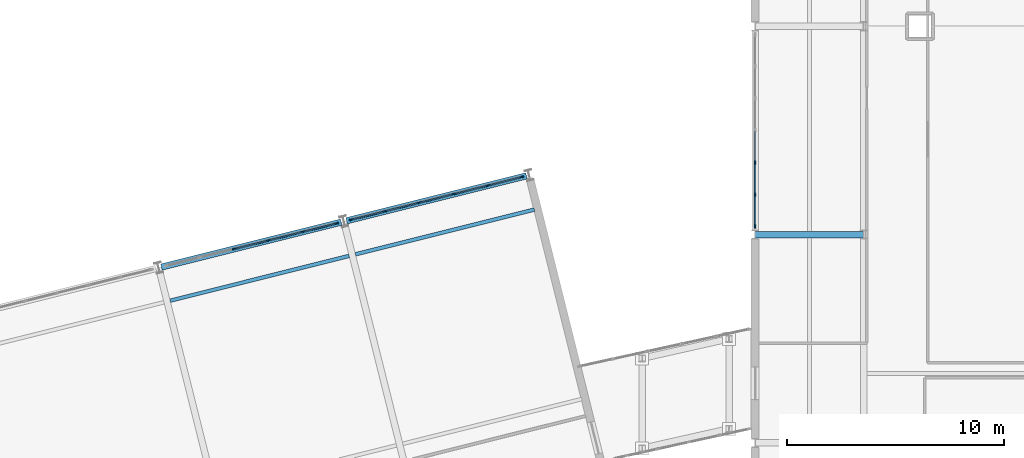
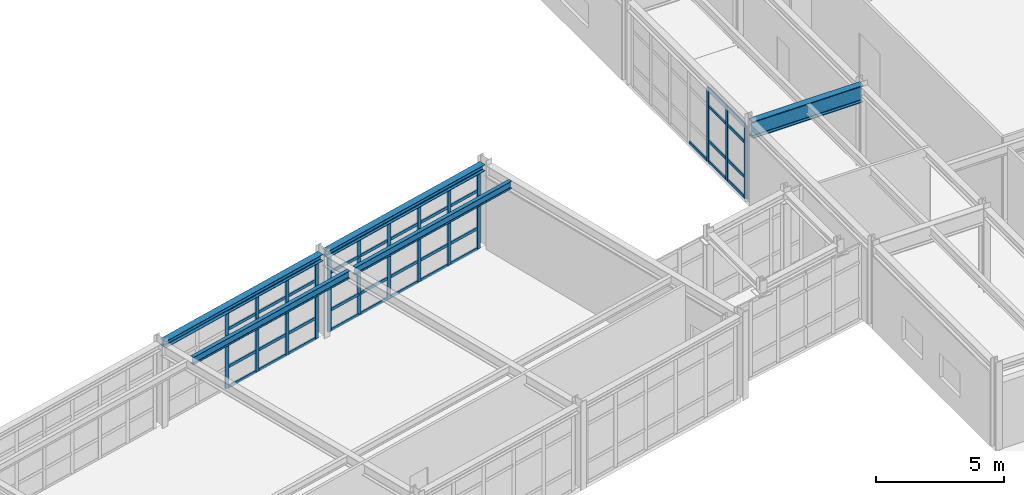
# One storey, part 39 of 88: 54 members, 5 beams, 3 elements without a shape of their own.
"""IFC4 building model written with IfcOpenShell, lengths in metres."""

from ifc_helpers import new_model, si_unit, direction, frame, origin, origin_2d, place, context, subcontext, project, spatial, rectangle, i_section, extrude, material, layer, layer_set, material_profile, profile_set, type_object, element, aggregate, save


model = new_model("IFC4")

# Units and contexts
model_context = context("Model", 3, precision=1e-05, world=origin(), true_north=direction((0.0, 1.0)))
body_context = subcontext(model_context, "Body", "Model", "MODEL_VIEW")
ifc_project = project(units=[si_unit("LENGTHUNIT", "METRE"), si_unit("AREAUNIT", "SQUARE_METRE"), si_unit("VOLUMEUNIT", "CUBIC_METRE"), si_unit("PLANEANGLEUNIT", "RADIAN"), si_unit("MASSUNIT", "GRAM", prefix="KILO")], contexts=[model_context])

# Site, building, storey
site_placement = place(None, origin())
site = spatial("IfcSite", under=ifc_project, at=site_placement, CompositionType="ELEMENT")
building_placement = place(site_placement, origin())
building = spatial("IfcBuilding", under=site, at=building_placement, Name="Nordkorset Police Headquarters", CompositionType="ELEMENT")
storey_placement = place(building_placement, frame((0.0, 0.0, 9.449951171875)))
storey = spatial("IfcBuildingStorey", under=building, at=storey_placement, Name="L02", CompositionType="ELEMENT", Elevation=9.449951171875)

# Beams
ifc_material_1 = material(Name="Steel S355J2", Category="steel")
ifc_material_profile_1 = material_profile(ifc_material_1, i_section(OverallWidth=0.169921875, OverallDepth=0.360107421875, WebThickness=0.008056640625, FlangeThickness=0.0126953125, FilletRadius=0.01806640625, at=origin_2d()), Name="IPE 360")
ifc_profile_set_1 = profile_set([ifc_material_profile_1], Name="Steel S355J2")
beam_type_1 = type_object("IfcBeamType", Name="Beam_IPE_360", PredefinedType="BEAM", material=ifc_profile_set_1)
for number, where, z_axis, x_axis, name in (
    (1, (59.44677734375, 64.155517578125, 3.7900390625), (0.970135741501, 0.242562658011, 0.0), (-0.242562658011, 0.970135741501, 0.0), "Splayed Wing Secondary Beam L02 4-2"),
    (2, (67.984130859375, 66.2900390625, 3.7900390625), (0.970142500145, 0.242535625036, 0.0), (-0.242535625036, 0.970142500145, 0.0), "Splayed Wing Secondary Beam L02 5-2"),
):
    element("IfcBeam", number, at=place(storey_placement, frame(where, z_axis=z_axis, x_axis=x_axis)), inside=storey, type_object=beam_type_1, Name=name, PredefinedType="BEAM", context=body_context, shape_type="SweptSolid", body=[
        extrude(i_section(OverallWidth=0.169921875, OverallDepth=0.360107421875, WebThickness=0.008056640625, FlangeThickness=0.0126953125, FilletRadius=0.01806640625, at=origin_2d()), origin(), (0.0, 0.0, 1.0), 8.5),
    ])

# Curtain wall, members
ifc_material_2 = material(Name="Aluminium alloy AW-6060", Category="aluminium")
ifc_layer_1 = layer(ifc_material_2, 0.179931640625, Name="Aluminium alloy AW-6060")
ifc_layer_set_1 = layer_set([ifc_layer_1], Name="Aluminium alloy AW-6060")
curtain_wall_type_1 = type_object("IfcCurtainWallType", Name="CW_Unit_816x364", PredefinedType="USERDEFINED", material=ifc_layer_set_1)
curtain_wall_1_placement = place(storey_placement, origin())
curtain_wall_1 = element("IfcCurtainWall", 3, at=curtain_wall_1_placement, inside=storey, type_object=curtain_wall_type_1, Name="Unitised Curtain Wall L02 V4N-4", ObjectType="UNITISED CURTAIN WALL", PredefinedType="USERDEFINED")
ifc_material_3 = material(Name="Aluminium alloy AW-6060", Category="aluminium")
ifc_material_profile_2 = material_profile(ifc_material_3, rectangle(XDim=0.06494140625, YDim=0.179931640625, at=origin_2d()), Name="ALU MULL 65x180")
ifc_profile_set_2 = profile_set([ifc_material_profile_2], Name="Aluminium alloy AW-6060")
member_type_1 = type_object("IfcMemberType", Name="CW_Mullion_65x180", PredefinedType="MULLION", material=ifc_profile_set_2)
member_1_placement = place(storey_placement, frame((62.39013671875, 66.540771484375, 0.0), z_axis=(0.0, 0.0, 1.0), x_axis=(-0.242535336683, 0.970142572234, 0.0)))
member_1 = element("IfcMember", 4, at=member_1_placement, type_object=member_type_1, Name="CW-64 mullion 3", PredefinedType="MULLION", context=body_context, shape_type="SweptSolid", body=[
    extrude(rectangle(XDim=0.06494140625, YDim=0.179931640625, at=origin_2d()), origin(), (0.0, 0.0, 1.0), 3.64013671875),
])
member_2_placement = place(storey_placement, frame((63.973388671875, 66.9365234375, 0.0), z_axis=(0.0, 0.0, 1.0), x_axis=(-0.242535336683, 0.970142572234, 0.0)))
member_2 = element("IfcMember", 5, at=member_2_placement, type_object=member_type_1, Name="CW-64 mullion 4", PredefinedType="MULLION", context=body_context, shape_type="SweptSolid", body=[
    extrude(rectangle(XDim=0.06494140625, YDim=0.179931640625, at=origin_2d()), origin(), (0.0, 0.0, 1.0), 3.64013671875),
])
member_3_placement = place(storey_placement, frame((65.556640625, 67.332275390625, 0.0), z_axis=(0.0, 0.0, 1.0), x_axis=(-0.242535336683, 0.970142572234, 0.0)))
member_3 = element("IfcMember", 6, at=member_3_placement, type_object=member_type_1, Name="CW-64 mullion 5", PredefinedType="MULLION", context=body_context, shape_type="SweptSolid", body=[
    extrude(rectangle(XDim=0.06494140625, YDim=0.179931640625, at=origin_2d()), origin(), (0.0, 0.0, 1.0), 3.64013671875),
])
member_4_placement = place(storey_placement, frame((67.1083984375, 67.72021484375, 0.0), z_axis=(0.0, 0.0, 1.0), x_axis=(-0.242535336683, 0.970142572234, 0.0)))
member_4 = element("IfcMember", 7, at=member_4_placement, type_object=member_type_1, Name="CW-64 mullion 6", PredefinedType="MULLION", context=body_context, shape_type="SweptSolid", body=[
    extrude(rectangle(XDim=0.06494140625, YDim=0.179931640625, at=origin_2d()), origin(), (0.0, 0.0, 1.0), 3.64013671875),
])

curtain_wall_2_placement = place(storey_placement, origin())
curtain_wall_2 = element("IfcCurtainWall", 8, at=curtain_wall_2_placement, inside=storey, type_object=curtain_wall_type_1, Name="Unitised Curtain Wall L02 V4N-5", ObjectType="UNITISED CURTAIN WALL", PredefinedType="USERDEFINED")
member_5_placement = place(storey_placement, frame((67.79248046875, 67.891357421875, 0.0), z_axis=(0.0, 0.0, 1.0), x_axis=(-0.242535625038, 0.970142500145, 0.0)))
member_5 = element("IfcMember", 9, at=member_5_placement, type_object=member_type_1, Name="CW-64 mullion 1", PredefinedType="MULLION", context=body_context, shape_type="SweptSolid", body=[
    extrude(rectangle(XDim=0.06494140625, YDim=0.179931640625, at=origin_2d()), origin(), (0.0, 0.0, 1.0), 3.64013671875),
])
member_6_placement = place(storey_placement, frame((69.34423828125, 68.279296875, 0.0), z_axis=(0.0, 0.0, 1.0), x_axis=(-0.242535625038, 0.970142500145, 0.0)))
member_6 = element("IfcMember", 10, at=member_6_placement, type_object=member_type_1, Name="CW-64 mullion 2", PredefinedType="MULLION", context=body_context, shape_type="SweptSolid", body=[
    extrude(rectangle(XDim=0.06494140625, YDim=0.179931640625, at=origin_2d()), origin(), (0.0, 0.0, 1.0), 3.64013671875),
])
member_7_placement = place(storey_placement, frame((70.927490234375, 68.675048828125, 0.0), z_axis=(0.0, 0.0, 1.0), x_axis=(-0.242535625038, 0.970142500145, 0.0)))
member_7 = element("IfcMember", 11, at=member_7_placement, type_object=member_type_1, Name="CW-64 mullion 3", PredefinedType="MULLION", context=body_context, shape_type="SweptSolid", body=[
    extrude(rectangle(XDim=0.06494140625, YDim=0.179931640625, at=origin_2d()), origin(), (0.0, 0.0, 1.0), 3.64013671875),
])
member_8_placement = place(storey_placement, frame((72.5107421875, 69.07080078125, 0.0), z_axis=(0.0, 0.0, 1.0), x_axis=(-0.242535625038, 0.970142500145, 0.0)))
member_8 = element("IfcMember", 12, at=member_8_placement, type_object=member_type_1, Name="CW-64 mullion 4", PredefinedType="MULLION", context=body_context, shape_type="SweptSolid", body=[
    extrude(rectangle(XDim=0.06494140625, YDim=0.179931640625, at=origin_2d()), origin(), (0.0, 0.0, 1.0), 3.64013671875),
])
member_9_placement = place(storey_placement, frame((74.093994140625, 69.466552734375, 0.0), z_axis=(0.0, 0.0, 1.0), x_axis=(-0.242535625038, 0.970142500145, 0.0)))
member_9 = element("IfcMember", 13, at=member_9_placement, type_object=member_type_1, Name="CW-64 mullion 5", PredefinedType="MULLION", context=body_context, shape_type="SweptSolid", body=[
    extrude(rectangle(XDim=0.06494140625, YDim=0.179931640625, at=origin_2d()), origin(), (0.0, 0.0, 1.0), 3.64013671875),
])
member_10_placement = place(storey_placement, frame((75.645751953125, 69.8544921875, 0.0), z_axis=(0.0, 0.0, 1.0), x_axis=(-0.242535625038, 0.970142500145, 0.0)))
member_10 = element("IfcMember", 14, at=member_10_placement, type_object=member_type_1, Name="CW-64 mullion 6", PredefinedType="MULLION", context=body_context, shape_type="SweptSolid", body=[
    extrude(rectangle(XDim=0.06494140625, YDim=0.179931640625, at=origin_2d()), origin(), (0.0, 0.0, 1.0), 3.64013671875),
])

ifc_material_4 = material(Name="Aluminium alloy AW-6060", Category="aluminium")
ifc_layer_2 = layer(ifc_material_4, 0.179931640625, Name="Aluminium alloy AW-6060")
ifc_layer_set_2 = layer_set([ifc_layer_2], Name="Aluminium alloy AW-6060")
curtain_wall_type_2 = type_object("IfcCurtainWallType", Name="CW_Unit_888x350", PredefinedType="USERDEFINED", material=ifc_layer_set_2)
curtain_wall_3_placement = place(storey_placement, origin())
curtain_wall_3 = element("IfcCurtainWall", 15, at=curtain_wall_3_placement, inside=storey, type_object=curtain_wall_type_2, Name="Unitised Curtain Wall L02 V5W-2", ObjectType="UNITISED CURTAIN WALL", PredefinedType="USERDEFINED")
member_11_placement = place(storey_placement, frame((86.39990234375, 67.592529296875, 0.0), z_axis=(0.0, 0.0, 1.0), x_axis=(-1.0, 0.0, 0.0)))
member_11 = element("IfcMember", 16, at=member_11_placement, type_object=member_type_1, Name="CW-95 mullion 1", PredefinedType="MULLION", context=body_context, shape_type="SweptSolid", body=[
    extrude(rectangle(XDim=0.06494140625, YDim=0.179931640625, at=origin_2d()), origin(), (0.0, 0.0, 1.0), 3.505126953125),
])
member_12_placement = place(storey_placement, frame((86.39990234375, 69.0400390625, 0.0), z_axis=(0.0, 0.0, 1.0), x_axis=(-1.0, 0.0, 0.0)))
member_12 = element("IfcMember", 17, at=member_12_placement, type_object=member_type_1, Name="CW-95 mullion 2", PredefinedType="MULLION", context=body_context, shape_type="SweptSolid", body=[
    extrude(rectangle(XDim=0.06494140625, YDim=0.179931640625, at=origin_2d()), origin(), (0.0, 0.0, 1.0), 3.505126953125),
])
member_13_placement = place(storey_placement, frame((86.39990234375, 70.52001953125, 0.0), z_axis=(0.0, 0.0, 1.0), x_axis=(-1.0, 0.0, 0.0)))
member_13 = element("IfcMember", 18, at=member_13_placement, type_object=member_type_1, Name="CW-95 mullion 3", PredefinedType="MULLION", context=body_context, shape_type="SweptSolid", body=[
    extrude(rectangle(XDim=0.06494140625, YDim=0.179931640625, at=origin_2d()), origin(), (0.0, 0.0, 1.0), 3.505126953125),
])

# Member
ifc_material_5 = material(Name="Aluminium alloy AW-6060", Category="aluminium")
ifc_material_profile_3 = material_profile(ifc_material_5, rectangle(XDim=0.06494140625, YDim=0.139892578125, at=origin_2d()), Name="ALU TRAN 65x140")
ifc_profile_set_3 = profile_set([ifc_material_profile_3], Name="Aluminium alloy AW-6060")
member_type_2 = type_object("IfcMemberType", Name="CW_Transom_65x140", PredefinedType="USERDEFINED", material=ifc_profile_set_3)
member_14_placement = place(storey_placement, frame((62.421630859375, 66.548583984375, 0.032470703125), z_axis=(0.970133335061, 0.24257228243, 0.0), x_axis=(-0.24257228243, 0.970133335061, 0.0)))
member_14 = element("IfcMember", 19, at=member_14_placement, type_object=member_type_2, Name="CW-64 transom 3.1", ObjectType="TRANSOM", PredefinedType="USERDEFINED", context=body_context, shape_type="SweptSolid", body=[
    extrude(rectangle(XDim=0.06494140625, YDim=0.139892578125, at=origin_2d()), origin(), (0.0, 0.0, 1.0), 1.567138671875),
])

member_15_placement = place(storey_placement, frame((62.421630859375, 66.548583984375, 1.0), z_axis=(0.970133335061, 0.24257228243, 0.0), x_axis=(-0.24257228243, 0.970133335061, 0.0)))
member_15 = element("IfcMember", 20, at=member_15_placement, type_object=member_type_2, Name="CW-64 transom 3.2", ObjectType="TRANSOM", PredefinedType="USERDEFINED", context=body_context, shape_type="SweptSolid", body=[
    extrude(rectangle(XDim=0.06494140625, YDim=0.139892578125, at=origin_2d()), origin(), (0.0, 0.0, 1.0), 1.567138671875),
])

member_16_placement = place(storey_placement, frame((62.421630859375, 66.548583984375, 2.7900390625), z_axis=(0.970133335061, 0.24257228243, 0.0), x_axis=(-0.24257228243, 0.970133335061, 0.0)))
member_16 = element("IfcMember", 21, at=member_16_placement, type_object=member_type_2, Name="CW-64 transom 3.3", ObjectType="TRANSOM", PredefinedType="USERDEFINED", context=body_context, shape_type="SweptSolid", body=[
    extrude(rectangle(XDim=0.06494140625, YDim=0.139892578125, at=origin_2d()), origin(), (0.0, 0.0, 1.0), 1.567138671875),
])

member_17_placement = place(storey_placement, frame((62.421630859375, 66.548583984375, 3.607666015625), z_axis=(0.970133335061, 0.24257228243, 0.0), x_axis=(-0.24257228243, 0.970133335061, 0.0)))
member_17 = element("IfcMember", 22, at=member_17_placement, type_object=member_type_2, Name="CW-64 transom 3.4", ObjectType="TRANSOM", PredefinedType="USERDEFINED", context=body_context, shape_type="SweptSolid", body=[
    extrude(rectangle(XDim=0.06494140625, YDim=0.139892578125, at=origin_2d()), origin(), (0.0, 0.0, 1.0), 1.567138671875),
])

member_18_placement = place(storey_placement, frame((64.0048828125, 66.9443359375, 0.032470703125), z_axis=(0.970133335061, 0.24257228243, 0.0), x_axis=(-0.24257228243, 0.970133335061, 0.0)))
member_18 = element("IfcMember", 23, at=member_18_placement, type_object=member_type_2, Name="CW-64 transom 4.1", ObjectType="TRANSOM", PredefinedType="USERDEFINED", context=body_context, shape_type="SweptSolid", body=[
    extrude(rectangle(XDim=0.06494140625, YDim=0.139892578125, at=origin_2d()), origin(), (0.0, 0.0, 1.0), 1.567138671875),
])

member_19_placement = place(storey_placement, frame((64.0048828125, 66.9443359375, 1.0), z_axis=(0.970133335061, 0.24257228243, 0.0), x_axis=(-0.24257228243, 0.970133335061, 0.0)))
member_19 = element("IfcMember", 24, at=member_19_placement, type_object=member_type_2, Name="CW-64 transom 4.2", ObjectType="TRANSOM", PredefinedType="USERDEFINED", context=body_context, shape_type="SweptSolid", body=[
    extrude(rectangle(XDim=0.06494140625, YDim=0.139892578125, at=origin_2d()), origin(), (0.0, 0.0, 1.0), 1.567138671875),
])

member_20_placement = place(storey_placement, frame((64.0048828125, 66.9443359375, 2.7900390625), z_axis=(0.970133335061, 0.24257228243, 0.0), x_axis=(-0.24257228243, 0.970133335061, 0.0)))
member_20 = element("IfcMember", 25, at=member_20_placement, type_object=member_type_2, Name="CW-64 transom 4.3", ObjectType="TRANSOM", PredefinedType="USERDEFINED", context=body_context, shape_type="SweptSolid", body=[
    extrude(rectangle(XDim=0.06494140625, YDim=0.139892578125, at=origin_2d()), origin(), (0.0, 0.0, 1.0), 1.567138671875),
])

member_21_placement = place(storey_placement, frame((64.0048828125, 66.9443359375, 3.607666015625), z_axis=(0.970133335061, 0.24257228243, 0.0), x_axis=(-0.24257228243, 0.970133335061, 0.0)))
member_21 = element("IfcMember", 26, at=member_21_placement, type_object=member_type_2, Name="CW-64 transom 4.4", ObjectType="TRANSOM", PredefinedType="USERDEFINED", context=body_context, shape_type="SweptSolid", body=[
    extrude(rectangle(XDim=0.06494140625, YDim=0.139892578125, at=origin_2d()), origin(), (0.0, 0.0, 1.0), 1.567138671875),
])

member_22_placement = place(storey_placement, frame((65.588134765625, 67.34033203125, 0.032470703125), z_axis=(0.970161214313, 0.242460756086, 0.0), x_axis=(-0.242460756086, 0.970161214313, 0.0)))
member_22 = element("IfcMember", 27, at=member_22_placement, type_object=member_type_2, Name="CW-64 transom 5.1", ObjectType="TRANSOM", PredefinedType="USERDEFINED", context=body_context, shape_type="SweptSolid", body=[
    extrude(rectangle(XDim=0.06494140625, YDim=0.139892578125, at=origin_2d()), origin(), (0.0, 0.0, 1.0), 1.53466796875),
])

member_23_placement = place(storey_placement, frame((65.588134765625, 67.34033203125, 1.0), z_axis=(0.970161214313, 0.242460756086, 0.0), x_axis=(-0.242460756086, 0.970161214313, 0.0)))
member_23 = element("IfcMember", 28, at=member_23_placement, type_object=member_type_2, Name="CW-64 transom 5.2", ObjectType="TRANSOM", PredefinedType="USERDEFINED", context=body_context, shape_type="SweptSolid", body=[
    extrude(rectangle(XDim=0.06494140625, YDim=0.139892578125, at=origin_2d()), origin(), (0.0, 0.0, 1.0), 1.53466796875),
])

member_24_placement = place(storey_placement, frame((65.588134765625, 67.34033203125, 2.7900390625), z_axis=(0.970161214313, 0.242460756086, 0.0), x_axis=(-0.242460756086, 0.970161214313, 0.0)))
member_24 = element("IfcMember", 29, at=member_24_placement, type_object=member_type_2, Name="CW-64 transom 5.3", ObjectType="TRANSOM", PredefinedType="USERDEFINED", context=body_context, shape_type="SweptSolid", body=[
    extrude(rectangle(XDim=0.06494140625, YDim=0.139892578125, at=origin_2d()), origin(), (0.0, 0.0, 1.0), 1.53466796875),
])

member_25_placement = place(storey_placement, frame((65.588134765625, 67.34033203125, 3.607666015625), z_axis=(0.970161214313, 0.242460756086, 0.0), x_axis=(-0.242460756086, 0.970161214313, 0.0)))
member_25 = element("IfcMember", 30, at=member_25_placement, type_object=member_type_2, Name="CW-64 transom 5.4", ObjectType="TRANSOM", PredefinedType="USERDEFINED", context=body_context, shape_type="SweptSolid", body=[
    extrude(rectangle(XDim=0.06494140625, YDim=0.139892578125, at=origin_2d()), origin(), (0.0, 0.0, 1.0), 1.53466796875),
])

aggregate(curtain_wall_1, [member_1, member_2, member_3, member_4, member_14, member_15, member_16, member_17, member_18, member_19, member_20, member_21, member_22, member_23, member_24, member_25])

member_26_placement = place(storey_placement, frame((67.823974609375, 67.899169921875, 0.032470703125), z_axis=(0.970161214313, 0.242460756086, 0.0), x_axis=(-0.242460756086, 0.970161214313, 0.0)))
member_26 = element("IfcMember", 31, at=member_26_placement, type_object=member_type_2, Name="CW-64 transom 1.1", ObjectType="TRANSOM", PredefinedType="USERDEFINED", context=body_context, shape_type="SweptSolid", body=[
    extrude(rectangle(XDim=0.06494140625, YDim=0.139892578125, at=origin_2d()), origin(), (0.0, 0.0, 1.0), 1.53466796875),
])

member_27_placement = place(storey_placement, frame((67.823974609375, 67.899169921875, 1.0), z_axis=(0.970161214313, 0.242460756086, 0.0), x_axis=(-0.242460756086, 0.970161214313, 0.0)))
member_27 = element("IfcMember", 32, at=member_27_placement, type_object=member_type_2, Name="CW-64 transom 1.2", ObjectType="TRANSOM", PredefinedType="USERDEFINED", context=body_context, shape_type="SweptSolid", body=[
    extrude(rectangle(XDim=0.06494140625, YDim=0.139892578125, at=origin_2d()), origin(), (0.0, 0.0, 1.0), 1.53466796875),
])

member_28_placement = place(storey_placement, frame((67.823974609375, 67.899169921875, 2.7900390625), z_axis=(0.970161214313, 0.242460756086, 0.0), x_axis=(-0.242460756086, 0.970161214313, 0.0)))
member_28 = element("IfcMember", 33, at=member_28_placement, type_object=member_type_2, Name="CW-64 transom 1.3", ObjectType="TRANSOM", PredefinedType="USERDEFINED", context=body_context, shape_type="SweptSolid", body=[
    extrude(rectangle(XDim=0.06494140625, YDim=0.139892578125, at=origin_2d()), origin(), (0.0, 0.0, 1.0), 1.53466796875),
])

member_29_placement = place(storey_placement, frame((67.823974609375, 67.899169921875, 3.607666015625), z_axis=(0.970161214313, 0.242460756086, 0.0), x_axis=(-0.242460756086, 0.970161214313, 0.0)))
member_29 = element("IfcMember", 34, at=member_29_placement, type_object=member_type_2, Name="CW-64 transom 1.4", ObjectType="TRANSOM", PredefinedType="USERDEFINED", context=body_context, shape_type="SweptSolid", body=[
    extrude(rectangle(XDim=0.06494140625, YDim=0.139892578125, at=origin_2d()), origin(), (0.0, 0.0, 1.0), 1.53466796875),
])

member_30_placement = place(storey_placement, frame((69.375732421875, 68.287109375, 0.032470703125), z_axis=(0.970133335061, 0.24257228243, 0.0), x_axis=(-0.24257228243, 0.970133335061, 0.0)))
member_30 = element("IfcMember", 35, at=member_30_placement, type_object=member_type_2, Name="CW-64 transom 2.1", ObjectType="TRANSOM", PredefinedType="USERDEFINED", context=body_context, shape_type="SweptSolid", body=[
    extrude(rectangle(XDim=0.06494140625, YDim=0.139892578125, at=origin_2d()), origin(), (0.0, 0.0, 1.0), 1.567138671875),
])

member_31_placement = place(storey_placement, frame((69.375732421875, 68.287109375, 1.0), z_axis=(0.970133335061, 0.24257228243, 0.0), x_axis=(-0.24257228243, 0.970133335061, 0.0)))
member_31 = element("IfcMember", 36, at=member_31_placement, type_object=member_type_2, Name="CW-64 transom 2.2", ObjectType="TRANSOM", PredefinedType="USERDEFINED", context=body_context, shape_type="SweptSolid", body=[
    extrude(rectangle(XDim=0.06494140625, YDim=0.139892578125, at=origin_2d()), origin(), (0.0, 0.0, 1.0), 1.567138671875),
])

member_32_placement = place(storey_placement, frame((69.375732421875, 68.287109375, 2.7900390625), z_axis=(0.970133335061, 0.24257228243, 0.0), x_axis=(-0.24257228243, 0.970133335061, 0.0)))
member_32 = element("IfcMember", 37, at=member_32_placement, type_object=member_type_2, Name="CW-64 transom 2.3", ObjectType="TRANSOM", PredefinedType="USERDEFINED", context=body_context, shape_type="SweptSolid", body=[
    extrude(rectangle(XDim=0.06494140625, YDim=0.139892578125, at=origin_2d()), origin(), (0.0, 0.0, 1.0), 1.567138671875),
])

member_33_placement = place(storey_placement, frame((69.375732421875, 68.287109375, 3.607666015625), z_axis=(0.970133335061, 0.24257228243, 0.0), x_axis=(-0.24257228243, 0.970133335061, 0.0)))
member_33 = element("IfcMember", 38, at=member_33_placement, type_object=member_type_2, Name="CW-64 transom 2.4", ObjectType="TRANSOM", PredefinedType="USERDEFINED", context=body_context, shape_type="SweptSolid", body=[
    extrude(rectangle(XDim=0.06494140625, YDim=0.139892578125, at=origin_2d()), origin(), (0.0, 0.0, 1.0), 1.567138671875),
])

member_34_placement = place(storey_placement, frame((70.958984375, 68.682861328125, 0.032470703125), z_axis=(0.970133335061, 0.24257228243, 0.0), x_axis=(-0.24257228243, 0.970133335061, 0.0)))
member_34 = element("IfcMember", 39, at=member_34_placement, type_object=member_type_2, Name="CW-64 transom 3.1", ObjectType="TRANSOM", PredefinedType="USERDEFINED", context=body_context, shape_type="SweptSolid", body=[
    extrude(rectangle(XDim=0.06494140625, YDim=0.139892578125, at=origin_2d()), origin(), (0.0, 0.0, 1.0), 1.567138671875),
])

member_35_placement = place(storey_placement, frame((70.958984375, 68.682861328125, 1.0), z_axis=(0.970133335061, 0.24257228243, 0.0), x_axis=(-0.24257228243, 0.970133335061, 0.0)))
member_35 = element("IfcMember", 40, at=member_35_placement, type_object=member_type_2, Name="CW-64 transom 3.2", ObjectType="TRANSOM", PredefinedType="USERDEFINED", context=body_context, shape_type="SweptSolid", body=[
    extrude(rectangle(XDim=0.06494140625, YDim=0.139892578125, at=origin_2d()), origin(), (0.0, 0.0, 1.0), 1.567138671875),
])

member_36_placement = place(storey_placement, frame((70.958984375, 68.682861328125, 2.7900390625), z_axis=(0.970133335061, 0.24257228243, 0.0), x_axis=(-0.24257228243, 0.970133335061, 0.0)))
member_36 = element("IfcMember", 41, at=member_36_placement, type_object=member_type_2, Name="CW-64 transom 3.3", ObjectType="TRANSOM", PredefinedType="USERDEFINED", context=body_context, shape_type="SweptSolid", body=[
    extrude(rectangle(XDim=0.06494140625, YDim=0.139892578125, at=origin_2d()), origin(), (0.0, 0.0, 1.0), 1.567138671875),
])

member_37_placement = place(storey_placement, frame((70.958984375, 68.682861328125, 3.607666015625), z_axis=(0.970133335061, 0.24257228243, 0.0), x_axis=(-0.24257228243, 0.970133335061, 0.0)))
member_37 = element("IfcMember", 42, at=member_37_placement, type_object=member_type_2, Name="CW-64 transom 3.4", ObjectType="TRANSOM", PredefinedType="USERDEFINED", context=body_context, shape_type="SweptSolid", body=[
    extrude(rectangle(XDim=0.06494140625, YDim=0.139892578125, at=origin_2d()), origin(), (0.0, 0.0, 1.0), 1.567138671875),
])

member_38_placement = place(storey_placement, frame((72.542236328125, 69.078857421875, 0.032470703125), z_axis=(0.970169988125, 0.242425646623, 0.0), x_axis=(-0.242425646623, 0.970169988125, 0.0)))
member_38 = element("IfcMember", 43, at=member_38_placement, type_object=member_type_2, Name="CW-64 transom 4.1", ObjectType="TRANSOM", PredefinedType="USERDEFINED", context=body_context, shape_type="SweptSolid", body=[
    extrude(rectangle(XDim=0.06494140625, YDim=0.139892578125, at=origin_2d()), origin(), (0.0, 0.0, 1.0), 1.56689453125),
])

member_39_placement = place(storey_placement, frame((72.542236328125, 69.078857421875, 1.0), z_axis=(0.970169988125, 0.242425646623, 0.0), x_axis=(-0.242425646623, 0.970169988125, 0.0)))
member_39 = element("IfcMember", 44, at=member_39_placement, type_object=member_type_2, Name="CW-64 transom 4.2", ObjectType="TRANSOM", PredefinedType="USERDEFINED", context=body_context, shape_type="SweptSolid", body=[
    extrude(rectangle(XDim=0.06494140625, YDim=0.139892578125, at=origin_2d()), origin(), (0.0, 0.0, 1.0), 1.56689453125),
])

member_40_placement = place(storey_placement, frame((72.542236328125, 69.078857421875, 2.7900390625), z_axis=(0.970169988125, 0.242425646623, 0.0), x_axis=(-0.242425646623, 0.970169988125, 0.0)))
member_40 = element("IfcMember", 45, at=member_40_placement, type_object=member_type_2, Name="CW-64 transom 4.3", ObjectType="TRANSOM", PredefinedType="USERDEFINED", context=body_context, shape_type="SweptSolid", body=[
    extrude(rectangle(XDim=0.06494140625, YDim=0.139892578125, at=origin_2d()), origin(), (0.0, 0.0, 1.0), 1.56689453125),
])

member_41_placement = place(storey_placement, frame((72.542236328125, 69.078857421875, 3.607666015625), z_axis=(0.970169988125, 0.242425646623, 0.0), x_axis=(-0.242425646623, 0.970169988125, 0.0)))
member_41 = element("IfcMember", 46, at=member_41_placement, type_object=member_type_2, Name="CW-64 transom 4.4", ObjectType="TRANSOM", PredefinedType="USERDEFINED", context=body_context, shape_type="SweptSolid", body=[
    extrude(rectangle(XDim=0.06494140625, YDim=0.139892578125, at=origin_2d()), origin(), (0.0, 0.0, 1.0), 1.56689453125),
])

member_42_placement = place(storey_placement, frame((74.12548828125, 69.474609375, 0.032470703125), z_axis=(0.970161214313, 0.242460756086, 0.0), x_axis=(-0.242460756086, 0.970161214313, 0.0)))
member_42 = element("IfcMember", 47, at=member_42_placement, type_object=member_type_2, Name="CW-64 transom 5.1", ObjectType="TRANSOM", PredefinedType="USERDEFINED", context=body_context, shape_type="SweptSolid", body=[
    extrude(rectangle(XDim=0.06494140625, YDim=0.139892578125, at=origin_2d()), origin(), (0.0, 0.0, 1.0), 1.53466796875),
])

member_43_placement = place(storey_placement, frame((74.12548828125, 69.474609375, 1.0), z_axis=(0.970161214313, 0.242460756086, 0.0), x_axis=(-0.242460756086, 0.970161214313, 0.0)))
member_43 = element("IfcMember", 48, at=member_43_placement, type_object=member_type_2, Name="CW-64 transom 5.2", ObjectType="TRANSOM", PredefinedType="USERDEFINED", context=body_context, shape_type="SweptSolid", body=[
    extrude(rectangle(XDim=0.06494140625, YDim=0.139892578125, at=origin_2d()), origin(), (0.0, 0.0, 1.0), 1.53466796875),
])

member_44_placement = place(storey_placement, frame((74.12548828125, 69.474609375, 2.7900390625), z_axis=(0.970161214313, 0.242460756086, 0.0), x_axis=(-0.242460756086, 0.970161214313, 0.0)))
member_44 = element("IfcMember", 49, at=member_44_placement, type_object=member_type_2, Name="CW-64 transom 5.3", ObjectType="TRANSOM", PredefinedType="USERDEFINED", context=body_context, shape_type="SweptSolid", body=[
    extrude(rectangle(XDim=0.06494140625, YDim=0.139892578125, at=origin_2d()), origin(), (0.0, 0.0, 1.0), 1.53466796875),
])

member_45_placement = place(storey_placement, frame((74.12548828125, 69.474609375, 3.607666015625), z_axis=(0.970161214313, 0.242460756086, 0.0), x_axis=(-0.242460756086, 0.970161214313, 0.0)))
member_45 = element("IfcMember", 50, at=member_45_placement, type_object=member_type_2, Name="CW-64 transom 5.4", ObjectType="TRANSOM", PredefinedType="USERDEFINED", context=body_context, shape_type="SweptSolid", body=[
    extrude(rectangle(XDim=0.06494140625, YDim=0.139892578125, at=origin_2d()), origin(), (0.0, 0.0, 1.0), 1.53466796875),
])

aggregate(curtain_wall_2, [member_5, member_6, member_7, member_8, member_9, member_10, member_26, member_27, member_28, member_29, member_30, member_31, member_32, member_33, member_34, member_35, member_36, member_37, member_38, member_39, member_40, member_41, member_42, member_43, member_44, member_45])

member_46_placement = place(storey_placement, frame((86.39990234375, 67.625, 0.032470703125), z_axis=(0.0, 1.0, 0.0), x_axis=(-1.0, 0.0, 0.0)))
member_46 = element("IfcMember", 51, at=member_46_placement, type_object=member_type_2, Name="CW-95 transom 1.1", ObjectType="TRANSOM", PredefinedType="USERDEFINED", context=body_context, shape_type="SweptSolid", body=[
    extrude(rectangle(XDim=0.06494140625, YDim=0.139892578125, at=origin_2d()), origin(), (0.0, 0.0, 1.0), 1.382568359375),
])

member_47_placement = place(storey_placement, frame((86.39990234375, 67.625, 1.0), z_axis=(0.0, 1.0, 0.0), x_axis=(-1.0, 0.0, 0.0)))
member_47 = element("IfcMember", 52, at=member_47_placement, type_object=member_type_2, Name="CW-95 transom 1.2", ObjectType="TRANSOM", PredefinedType="USERDEFINED", context=body_context, shape_type="SweptSolid", body=[
    extrude(rectangle(XDim=0.06494140625, YDim=0.139892578125, at=origin_2d()), origin(), (0.0, 0.0, 1.0), 1.382568359375),
])

member_48_placement = place(storey_placement, frame((86.39990234375, 67.625, 2.655029296875), z_axis=(0.0, 1.0, 0.0), x_axis=(-1.0, 0.0, 0.0)))
member_48 = element("IfcMember", 53, at=member_48_placement, type_object=member_type_2, Name="CW-95 transom 1.3", ObjectType="TRANSOM", PredefinedType="USERDEFINED", context=body_context, shape_type="SweptSolid", body=[
    extrude(rectangle(XDim=0.06494140625, YDim=0.139892578125, at=origin_2d()), origin(), (0.0, 0.0, 1.0), 1.382568359375),
])

member_49_placement = place(storey_placement, frame((86.39990234375, 67.625, 3.47265625), z_axis=(0.0, 1.0, 0.0), x_axis=(-1.0, 0.0, 0.0)))
member_49 = element("IfcMember", 54, at=member_49_placement, type_object=member_type_2, Name="CW-95 transom 1.4", ObjectType="TRANSOM", PredefinedType="USERDEFINED", context=body_context, shape_type="SweptSolid", body=[
    extrude(rectangle(XDim=0.06494140625, YDim=0.139892578125, at=origin_2d()), origin(), (0.0, 0.0, 1.0), 1.382568359375),
])

member_50_placement = place(storey_placement, frame((86.39990234375, 69.072509765625, 0.032470703125), z_axis=(0.0, 1.0, 0.0), x_axis=(-1.0, 0.0, 0.0)))
member_50 = element("IfcMember", 55, at=member_50_placement, type_object=member_type_2, Name="CW-95 transom 2.1", ObjectType="TRANSOM", PredefinedType="USERDEFINED", context=body_context, shape_type="SweptSolid", body=[
    extrude(rectangle(XDim=0.06494140625, YDim=0.139892578125, at=origin_2d()), origin(), (0.0, 0.0, 1.0), 1.4150390625),
])

member_51_placement = place(storey_placement, frame((86.39990234375, 69.072509765625, 1.0), z_axis=(0.0, 1.0, 0.0), x_axis=(-1.0, 0.0, 0.0)))
member_51 = element("IfcMember", 56, at=member_51_placement, type_object=member_type_2, Name="CW-95 transom 2.2", ObjectType="TRANSOM", PredefinedType="USERDEFINED", context=body_context, shape_type="SweptSolid", body=[
    extrude(rectangle(XDim=0.06494140625, YDim=0.139892578125, at=origin_2d()), origin(), (0.0, 0.0, 1.0), 1.4150390625),
])

member_52_placement = place(storey_placement, frame((86.39990234375, 69.072509765625, 2.655029296875), z_axis=(0.0, 1.0, 0.0), x_axis=(-1.0, 0.0, 0.0)))
member_52 = element("IfcMember", 57, at=member_52_placement, type_object=member_type_2, Name="CW-95 transom 2.3", ObjectType="TRANSOM", PredefinedType="USERDEFINED", context=body_context, shape_type="SweptSolid", body=[
    extrude(rectangle(XDim=0.06494140625, YDim=0.139892578125, at=origin_2d()), origin(), (0.0, 0.0, 1.0), 1.4150390625),
])

member_53_placement = place(storey_placement, frame((86.39990234375, 69.072509765625, 3.47265625), z_axis=(0.0, 1.0, 0.0), x_axis=(-1.0, 0.0, 0.0)))
member_53 = element("IfcMember", 58, at=member_53_placement, type_object=member_type_2, Name="CW-95 transom 2.4", ObjectType="TRANSOM", PredefinedType="USERDEFINED", context=body_context, shape_type="SweptSolid", body=[
    extrude(rectangle(XDim=0.06494140625, YDim=0.139892578125, at=origin_2d()), origin(), (0.0, 0.0, 1.0), 1.4150390625),
])

member_54_placement = place(storey_placement, frame((86.39990234375, 70.552490234375, 0.032470703125), z_axis=(0.0, 1.0, 0.0), x_axis=(-1.0, 0.0, 0.0)))
member_54 = element("IfcMember", 59, at=member_54_placement, type_object=member_type_2, Name="CW-95 transom 3.1", ObjectType="TRANSOM", PredefinedType="USERDEFINED", context=body_context, shape_type="SweptSolid", body=[
    extrude(rectangle(XDim=0.06494140625, YDim=0.139892578125, at=origin_2d()), origin(), (0.0, 0.0, 1.0), 1.4150390625),
])

aggregate(curtain_wall_3, [member_11, member_12, member_13, member_46, member_47, member_48, member_49, member_50, member_51, member_52, member_53, member_54])

# Beams
ifc_material_6 = material(Name="Steel S355J2", Category="steel")
ifc_material_profile_4 = material_profile(ifc_material_6, i_section(OverallWidth=0.300048828125, OverallDepth=0.800048828125, WebThickness=0.017578125, FlangeThickness=0.032958984375, FilletRadius=0.030029296875, at=origin_2d()), Name="HEB 800")
ifc_profile_set_4 = profile_set([ifc_material_profile_4], Name="Steel S355J2")
beam_type_2 = type_object("IfcBeamType", Name="Girder_HEB_800", PredefinedType="USERDEFINED", material=ifc_profile_set_4)
beam_placement = place(storey_placement, frame((86.40673828125, 67.199951171875, 3.56494140625), z_axis=(1.0, 0.0, 0.0), x_axis=(0.0, 1.0, 0.0)))
element("IfcBeam", 60, at=beam_placement, inside=storey, type_object=beam_type_2, Name="Girder V5 L02 GX-2-0", ObjectType="GIRDER", PredefinedType="USERDEFINED", context=body_context, shape_type="SweptSolid", body=[
    extrude(i_section(OverallWidth=0.300048828125, OverallDepth=0.800048828125, WebThickness=0.017578125, FlangeThickness=0.032958984375, FilletRadius=0.030029296875, at=origin_2d()), origin(), (0.0, 0.0, 1.0), 4.986572265625),
])
ifc_material_7 = material(Name="Steel S355J2", Category="steel")
ifc_material_profile_5 = material_profile(ifc_material_7, i_section(OverallWidth=0.300048828125, OverallDepth=0.31005859375, WebThickness=0.009033203125, FlangeThickness=0.015380859375, FilletRadius=0.027099609375, at=origin_2d()), Name="HEA 320")
ifc_profile_set_5 = profile_set([ifc_material_profile_5], Name="Steel S355J2")
beam_type_3 = type_object("IfcBeamType", Name="Spandrel_HEA_320", PredefinedType="SPANDREL", material=ifc_profile_set_5)
for number, where, z_axis, x_axis, name in (
    (61, (59.039306640625, 65.703125, 3.81494140625), (0.970147544948, 0.242515444933, 0.0), (-0.242515444933, 0.970147544948, 0.0), "Splayed Wing Spandrel L02 4-1"),
    (62, (67.57666015625, 67.83740234375, 3.81494140625), (0.970140818463, 0.242542351668, 0.0), (-0.242542351668, 0.970140818463, 0.0), "Splayed Wing Spandrel L02 5-1"),
):
    element("IfcBeam", number, at=place(storey_placement, frame(where, z_axis=z_axis, x_axis=x_axis)), inside=storey, type_object=beam_type_3, Name=name, PredefinedType="SPANDREL", context=body_context, shape_type="SweptSolid", body=[
        extrude(i_section(OverallWidth=0.300048828125, OverallDepth=0.31005859375, WebThickness=0.009033203125, FlangeThickness=0.015380859375, FilletRadius=0.027099609375, at=origin_2d()), origin(), (0.0, 0.0, 1.0), 8.539794921875),
    ])

save(model, "model.ifc")
